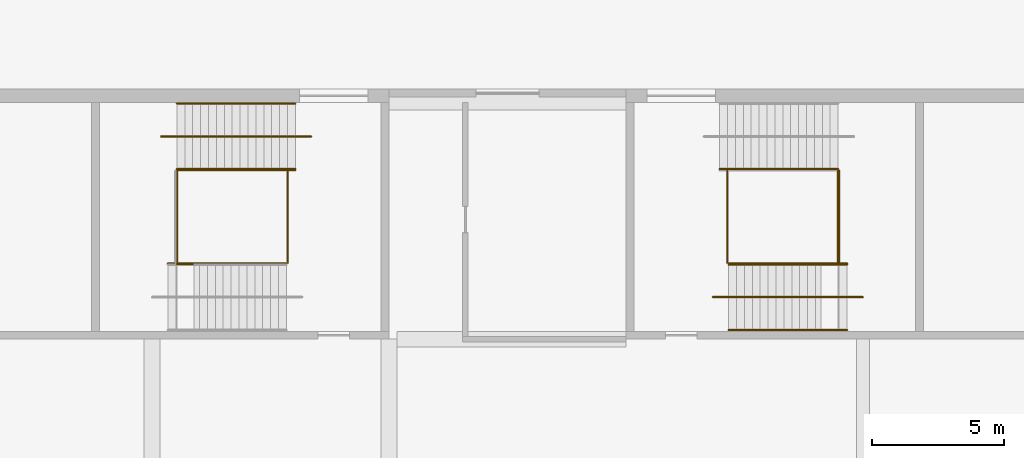
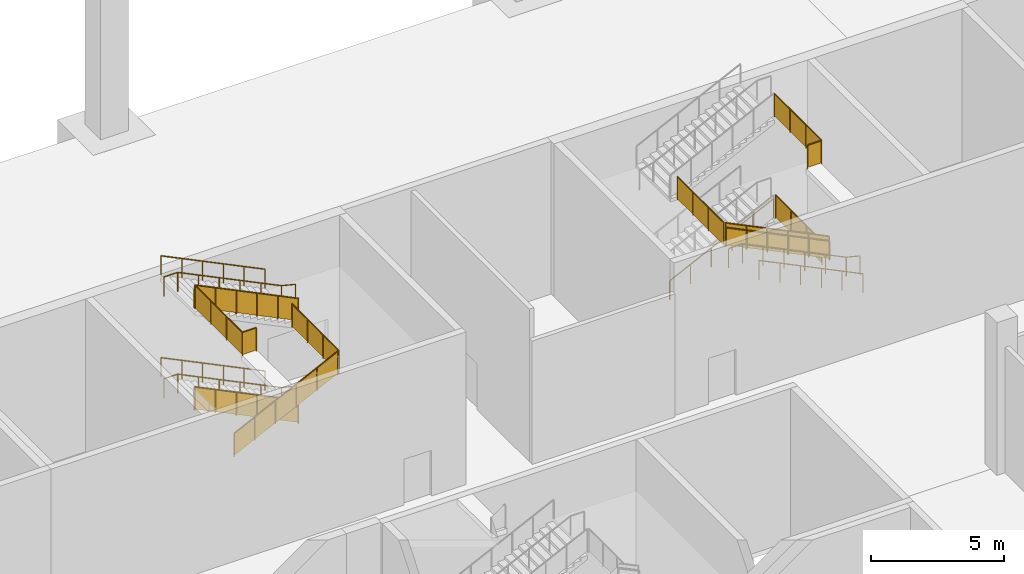
# One storey, part 89 of 92: 19 railings.
"""IFC4 building model written with IfcOpenShell, lengths in metres."""

from ifc_helpers import new_model, si_unit, direction, frame, origin, origin_2d, place, context, subcontext, project, spatial, polyline, circle, outline, extrude, material, type_object, element, save


model = new_model("IFC4")

# Units and contexts
model_context = context("Model", 3, precision=1e-05, world=origin(), true_north=direction((0.0, 1.0)))
body_context = subcontext(model_context, "Body", "Model", "MODEL_VIEW")
ifc_project = project(units=[si_unit("LENGTHUNIT", "METRE"), si_unit("AREAUNIT", "SQUARE_METRE"), si_unit("VOLUMEUNIT", "CUBIC_METRE"), si_unit("PLANEANGLEUNIT", "RADIAN"), si_unit("MASSUNIT", "GRAM", prefix="KILO")], contexts=[model_context])

# Site, building, storey
site_placement = place(None, origin())
site = spatial("IfcSite", under=ifc_project, at=site_placement, CompositionType="ELEMENT")
building_placement = place(site_placement, origin())
building = spatial("IfcBuilding", under=site, at=building_placement, Name="Silverbay Arena", CompositionType="ELEMENT")
storey_placement = place(building_placement, origin())
storey = spatial("IfcBuildingStorey", under=building, at=storey_placement, Name="L00", CompositionType="ELEMENT", Elevation=0.0)

# Railings
ifc_material_1 = material(Name="Stainless steel", Category="steel")
railing_type_1 = type_object("IfcRailingType", Name="Stair guard 1100", PredefinedType="GUARDRAIL", material=ifc_material_1)
railing_1_placement = place(storey_placement, frame((176.443115234375, 141.425048828125, 0.145751953125)))
element("IfcRailing", 1, at=railing_1_placement, inside=storey, type_object=railing_type_1, Name="Stair ST-N4 L00 to L01 flight 1 guard left", PredefinedType="GUARDRAIL", context=body_context, shape_type="SweptSolid", body=[
    extrude(circle(Radius=0.02392578125, at=origin_2d()), frame((0.0, 0.0, 1.076171875), z_axis=(-0.899367854138, 0.0, 0.437192706873), x_axis=(0.0, -1.0, 0.0)), (0.0, 0.0, 1.0), 5.00341796875),
    extrude(outline(polyline([(-0.008056640625, 0.046142578125), (0.907958984375, 0.491455078125), (0.907958984375, 1.494384765625), (-0.008056640625, 1.049072265625), (-0.008056640625, 0.046142578125)])), frame((0.0, -0.0029296875, 0.0), z_axis=(0.0, 1.0, 0.0), x_axis=(-1.0, 0.0, 0.0)), (0.0, 0.0, 1.0), 0.006103515625),
    extrude(outline(polyline([(-0.008056640625, 0.483642578125), (0.907958984375, 0.928955078125), (0.907958984375, 1.931884765625), (-0.008056640625, 1.486572265625), (-0.008056640625, 0.483642578125)])), frame((-0.89990234375, -0.0029296875, 0.0), z_axis=(0.0, 1.0, 0.0), x_axis=(-1.0, 0.0, 0.0)), (0.0, 0.0, 1.0), 0.006103515625),
    extrude(outline(polyline([(-0.008056640625, 0.921142578125), (0.907958984375, 1.366455078125), (0.907958984375, 2.369384765625), (-0.008056640625, 1.924072265625), (-0.008056640625, 0.921142578125)])), frame((-1.800048828125, -0.0029296875, 0.0), z_axis=(0.0, 1.0, 0.0), x_axis=(-1.0, 0.0, 0.0)), (0.0, 0.0, 1.0), 0.006103515625),
    extrude(outline(polyline([(-0.008056640625, 1.358642578125), (0.907958984375, 1.803955078125), (0.907958984375, 2.806884765625), (-0.008056640625, 2.361572265625), (-0.008056640625, 1.358642578125)])), frame((-2.699951171875, -0.0029296875, 0.0), z_axis=(0.0, 1.0, 0.0), x_axis=(-1.0, 0.0, 0.0)), (0.0, 0.0, 1.0), 0.006103515625),
    extrude(outline(polyline([(-0.008056640625, 1.796142578125), (0.907958984375, 2.241455078125), (0.907958984375, 3.244384765625), (-0.008056640625, 2.799072265625), (-0.008056640625, 1.796142578125)])), frame((-3.60009765625, -0.0029296875, 0.0), z_axis=(0.0, 1.0, 0.0), x_axis=(-1.0, 0.0, 0.0)), (0.0, 0.0, 1.0), 0.006103515625),
    extrude(circle(Radius=0.02099609375, at=origin_2d()), origin(), (0.0, 0.0, 1.0), 1.052001953125),
    extrude(circle(Radius=0.02099609375, at=origin_2d()), frame((-0.89990234375, 0.0, 0.4375)), (0.0, 0.0, 1.0), 1.052001953125),
    extrude(circle(Radius=0.02099609375, at=origin_2d()), frame((-1.800048828125, 0.0, 0.875)), (0.0, 0.0, 1.0), 1.052001953125),
    extrude(circle(Radius=0.02099609375, at=origin_2d()), frame((-2.699951171875, 0.0, 1.3125)), (0.0, 0.0, 1.0), 1.052001953125),
    extrude(circle(Radius=0.02099609375, at=origin_2d()), frame((-3.60009765625, 0.0, 1.75)), (0.0, 0.0, 1.0), 1.052001953125),
    extrude(circle(Radius=0.02099609375, at=origin_2d()), frame((-4.5, 0.0, 2.1875)), (0.0, 0.0, 1.0), 1.052001953125),
])
railing_2_placement = place(storey_placement, frame((171.60009765625, 137.875, 2.479248046875)))
element("IfcRailing", 2, at=railing_2_placement, inside=storey, type_object=railing_type_1, Name="Stair ST-N4 L00 to L01 flight 2 guard right", PredefinedType="GUARDRAIL", context=body_context, shape_type="SweptSolid", body=[
    extrude(circle(Radius=0.02392578125, at=origin_2d()), frame((0.0, 0.0, 1.076171875), z_axis=(0.899367854138, 0.0, 0.437192706873), x_axis=(0.0, 1.0, 0.0)), (0.0, 0.0, 1.0), 5.00341796875),
    extrude(outline(polyline([(-0.008056640625, 0.046142578125), (0.907958984375, 0.491455078125), (0.907958984375, 1.494384765625), (-0.008056640625, 1.049072265625), (-0.008056640625, 0.046142578125)])), frame((0.0, 0.0029296875, 0.0), z_axis=(0.0, -1.0, 0.0), x_axis=(1.0, 0.0, 0.0)), (0.0, 0.0, 1.0), 0.006103515625),
    extrude(outline(polyline([(-0.008056640625, 0.483642578125), (0.907958984375, 0.928955078125), (0.907958984375, 1.931884765625), (-0.008056640625, 1.486572265625), (-0.008056640625, 0.483642578125)])), frame((0.89990234375, 0.0029296875, 0.0), z_axis=(0.0, -1.0, 0.0), x_axis=(1.0, 0.0, 0.0)), (0.0, 0.0, 1.0), 0.006103515625),
    extrude(outline(polyline([(-0.008056640625, 0.921142578125), (0.907958984375, 1.366455078125), (0.907958984375, 2.369384765625), (-0.008056640625, 1.924072265625), (-0.008056640625, 0.921142578125)])), frame((1.800048828125, 0.0029296875, 0.0), z_axis=(0.0, -1.0, 0.0), x_axis=(1.0, 0.0, 0.0)), (0.0, 0.0, 1.0), 0.006103515625),
    extrude(outline(polyline([(-0.008056640625, 1.358642578125), (0.907958984375, 1.803955078125), (0.907958984375, 2.806884765625), (-0.008056640625, 2.361572265625), (-0.008056640625, 1.358642578125)])), frame((2.699951171875, 0.0029296875, 0.0), z_axis=(0.0, -1.0, 0.0), x_axis=(1.0, 0.0, 0.0)), (0.0, 0.0, 1.0), 0.006103515625),
    extrude(outline(polyline([(-0.008056640625, 1.796142578125), (0.907958984375, 2.241455078125), (0.907958984375, 3.244384765625), (-0.008056640625, 2.799072265625), (-0.008056640625, 1.796142578125)])), frame((3.60009765625, 0.0029296875, 0.0), z_axis=(0.0, -1.0, 0.0), x_axis=(1.0, 0.0, 0.0)), (0.0, 0.0, 1.0), 0.006103515625),
    extrude(circle(Radius=0.02099609375, at=origin_2d()), origin(), (0.0, 0.0, 1.0), 1.052001953125),
    extrude(circle(Radius=0.02099609375, at=origin_2d()), frame((0.89990234375, 0.0, 0.4375)), (0.0, 0.0, 1.0), 1.052001953125),
    extrude(circle(Radius=0.02099609375, at=origin_2d()), frame((1.800048828125, 0.0, 0.875)), (0.0, 0.0, 1.0), 1.052001953125),
    extrude(circle(Radius=0.02099609375, at=origin_2d()), frame((2.699951171875, 0.0, 1.3125)), (0.0, 0.0, 1.0), 1.052001953125),
    extrude(circle(Radius=0.02099609375, at=origin_2d()), frame((3.60009765625, 0.0, 1.75)), (0.0, 0.0, 1.0), 1.052001953125),
    extrude(circle(Radius=0.02099609375, at=origin_2d()), frame((4.5, 0.0, 2.1875)), (0.0, 0.0, 1.0), 1.052001953125),
])
railing_3_placement = place(storey_placement, frame((176.443115234375, 141.425048828125, 4.8125)))
element("IfcRailing", 3, at=railing_3_placement, inside=storey, type_object=railing_type_1, Name="Stair ST-N4 L00 to L01 flight 3 guard left", PredefinedType="GUARDRAIL", context=body_context, shape_type="SweptSolid", body=[
    extrude(circle(Radius=0.02392578125, at=origin_2d()), frame((0.0, 0.0, 1.076171875), z_axis=(-0.899367854138, 0.0, 0.437192706873), x_axis=(0.0, -1.0, 0.0)), (0.0, 0.0, 1.0), 5.00341796875),
    extrude(outline(polyline([(-0.008056640625, 0.046142578125), (0.907958984375, 0.491455078125), (0.907958984375, 1.494384765625), (-0.008056640625, 1.049072265625), (-0.008056640625, 0.046142578125)])), frame((0.0, -0.0029296875, 0.0), z_axis=(0.0, 1.0, 0.0), x_axis=(-1.0, 0.0, 0.0)), (0.0, 0.0, 1.0), 0.006103515625),
    extrude(outline(polyline([(-0.008056640625, 0.483642578125), (0.907958984375, 0.928955078125), (0.907958984375, 1.931884765625), (-0.008056640625, 1.486572265625), (-0.008056640625, 0.483642578125)])), frame((-0.89990234375, -0.0029296875, 0.0), z_axis=(0.0, 1.0, 0.0), x_axis=(-1.0, 0.0, 0.0)), (0.0, 0.0, 1.0), 0.006103515625),
    extrude(outline(polyline([(-0.008056640625, 0.921142578125), (0.907958984375, 1.366455078125), (0.907958984375, 2.369384765625), (-0.008056640625, 1.924072265625), (-0.008056640625, 0.921142578125)])), frame((-1.800048828125, -0.0029296875, 0.0), z_axis=(0.0, 1.0, 0.0), x_axis=(-1.0, 0.0, 0.0)), (0.0, 0.0, 1.0), 0.006103515625),
    extrude(outline(polyline([(-0.008056640625, 1.358642578125), (0.907958984375, 1.803955078125), (0.907958984375, 2.806884765625), (-0.008056640625, 2.361572265625), (-0.008056640625, 1.358642578125)])), frame((-2.699951171875, -0.0029296875, 0.0), z_axis=(0.0, 1.0, 0.0), x_axis=(-1.0, 0.0, 0.0)), (0.0, 0.0, 1.0), 0.006103515625),
    extrude(outline(polyline([(-0.008056640625, 1.796142578125), (0.907958984375, 2.241455078125), (0.907958984375, 3.244384765625), (-0.008056640625, 2.799072265625), (-0.008056640625, 1.796142578125)])), frame((-3.60009765625, -0.0029296875, 0.0), z_axis=(0.0, 1.0, 0.0), x_axis=(-1.0, 0.0, 0.0)), (0.0, 0.0, 1.0), 0.006103515625),
    extrude(circle(Radius=0.02099609375, at=origin_2d()), origin(), (0.0, 0.0, 1.0), 1.052001953125),
    extrude(circle(Radius=0.02099609375, at=origin_2d()), frame((-0.89990234375, 0.0, 0.4375)), (0.0, 0.0, 1.0), 1.052001953125),
    extrude(circle(Radius=0.02099609375, at=origin_2d()), frame((-1.800048828125, 0.0, 0.875)), (0.0, 0.0, 1.0), 1.052001953125),
    extrude(circle(Radius=0.02099609375, at=origin_2d()), frame((-2.699951171875, 0.0, 1.3125)), (0.0, 0.0, 1.0), 1.052001953125),
    extrude(circle(Radius=0.02099609375, at=origin_2d()), frame((-3.60009765625, 0.0, 1.75)), (0.0, 0.0, 1.0), 1.052001953125),
    extrude(circle(Radius=0.02099609375, at=origin_2d()), frame((-4.5, 0.0, 2.1875)), (0.0, 0.0, 1.0), 1.052001953125),
])
railing_4_placement = place(storey_placement, frame((176.14990234375, 137.89990234375, 4.666748046875)))
element("IfcRailing", 4, at=railing_4_placement, inside=storey, type_object=railing_type_1, Name="Stair ST-N4 L00 to L01 landing 2 guard", PredefinedType="GUARDRAIL", context=body_context, shape_type="SweptSolid", body=[
    extrude(circle(Radius=0.02392578125, at=origin_2d()), frame((0.0, 0.0, 1.076171875), z_axis=(0.0, 1.0, 0.0), x_axis=(-1.0, 0.0, 0.0)), (0.0, 0.0, 1.0), 3.5),
    extrude(outline(polyline([(-0.008056640625, 0.050048828125), (1.174560546875, 0.050048828125), (1.174560546875, 1.052978515625), (-0.008056640625, 1.052978515625), (-0.008056640625, 0.050048828125)])), frame((-0.0029296875, 0.0, 0.0), z_axis=(1.0, 0.0, 0.0), x_axis=(0.0, 1.0, 0.0)), (0.0, 0.0, 1.0), 0.006103515625),
    extrude(outline(polyline([(-0.008056640625, 0.050048828125), (1.174560546875, 0.050048828125), (1.174560546875, 1.052978515625), (-0.008056640625, 1.052978515625), (-0.008056640625, 0.050048828125)])), frame((-0.0029296875, 1.166748046875, 0.0), z_axis=(1.0, 0.0, 0.0), x_axis=(0.0, 1.0, 0.0)), (0.0, 0.0, 1.0), 0.006103515625),
    extrude(outline(polyline([(-0.008056640625, 0.050048828125), (1.174560546875, 0.050048828125), (1.174560546875, 1.052978515625), (-0.008056640625, 1.052978515625), (-0.008056640625, 0.050048828125)])), frame((-0.0029296875, 2.333251953125, 0.0), z_axis=(1.0, 0.0, 0.0), x_axis=(0.0, 1.0, 0.0)), (0.0, 0.0, 1.0), 0.006103515625),
    extrude(circle(Radius=0.02099609375, at=origin_2d()), origin(), (0.0, 0.0, 1.0), 1.052001953125),
    extrude(circle(Radius=0.02099609375, at=origin_2d()), frame((0.0, 1.166748046875, 0.0)), (0.0, 0.0, 1.0), 1.052001953125),
    extrude(circle(Radius=0.02099609375, at=origin_2d()), frame((0.0, 2.333251953125, 0.0)), (0.0, 0.0, 1.0), 1.052001953125),
    extrude(circle(Radius=0.02099609375, at=origin_2d()), frame((0.0, 3.5, 0.0)), (0.0, 0.0, 1.0), 1.052001953125),
])
railing_5_placement = place(storey_placement, frame((172.550048828125, 137.85009765625, 7.0)))
element("IfcRailing", 5, at=railing_5_placement, inside=storey, type_object=railing_type_1, Name="Stair ST-N4 L00 to L01 landing 3 guard", PredefinedType="GUARDRAIL", context=body_context, shape_type="SweptSolid", body=[
    extrude(circle(Radius=0.02392578125, at=origin_2d()), frame((0.0, 0.0, 1.076171875), z_axis=(-1.0, 0.0, 0.0), x_axis=(0.0, -1.0, 0.0)), (0.0, 0.0, 1.0), 0.60693359375),
    extrude(outline(polyline([(-0.008056640625, 0.050048828125), (0.614990234375, 0.050048828125), (0.614990234375, 1.052978515625), (-0.008056640625, 1.052978515625), (-0.008056640625, 0.050048828125)])), frame((0.0, -0.0029296875, 0.0), z_axis=(0.0, 1.0, 0.0), x_axis=(-1.0, 0.0, 0.0)), (0.0, 0.0, 1.0), 0.006103515625),
    extrude(circle(Radius=0.02392578125, at=origin_2d()), frame((-0.60693359375, 0.0, 1.076171875), z_axis=(0.0, 1.0, 0.0), x_axis=(-1.0, 0.0, 0.0)), (0.0, 0.0, 1.0), 3.5498046875),
    extrude(outline(polyline([(-0.008056640625, 0.050048828125), (1.191162109375, 0.050048828125), (1.191162109375, 1.052978515625), (-0.008056640625, 1.052978515625), (-0.008056640625, 0.050048828125)])), frame((-0.60986328125, 0.0, 0.0), z_axis=(1.0, 0.0, 0.0), x_axis=(0.0, 1.0, 0.0)), (0.0, 0.0, 1.0), 0.006103515625),
    extrude(outline(polyline([(-0.008056640625, 0.050048828125), (1.191162109375, 0.050048828125), (1.191162109375, 1.052978515625), (-0.008056640625, 1.052978515625), (-0.008056640625, 0.050048828125)])), frame((-0.60986328125, 1.183349609375, 0.0), z_axis=(1.0, 0.0, 0.0), x_axis=(0.0, 1.0, 0.0)), (0.0, 0.0, 1.0), 0.006103515625),
    extrude(outline(polyline([(-0.008056640625, 0.050048828125), (1.191162109375, 0.050048828125), (1.191162109375, 1.052978515625), (-0.008056640625, 1.052978515625), (-0.008056640625, 0.050048828125)])), frame((-0.60986328125, 2.366455078125, 0.0), z_axis=(1.0, 0.0, 0.0), x_axis=(0.0, 1.0, 0.0)), (0.0, 0.0, 1.0), 0.006103515625),
    extrude(circle(Radius=0.02099609375, at=origin_2d()), origin(), (0.0, 0.0, 1.0), 1.052001953125),
    extrude(circle(Radius=0.02099609375, at=origin_2d()), frame((-0.60693359375, 0.0, 0.0)), (0.0, 0.0, 1.0), 1.052001953125),
    extrude(circle(Radius=0.02099609375, at=origin_2d()), frame((-0.60693359375, 1.183349609375, 0.0)), (0.0, 0.0, 1.0), 1.052001953125),
    extrude(circle(Radius=0.02099609375, at=origin_2d()), frame((-0.60693359375, 2.366455078125, 0.0)), (0.0, 0.0, 1.0), 1.052001953125),
    extrude(circle(Radius=0.02099609375, at=origin_2d()), frame((-0.60693359375, 3.5498046875, 0.0)), (0.0, 0.0, 1.0), 1.052001953125),
])
railing_6_placement = place(storey_placement, frame((197.39990234375, 137.875, 2.479248046875)))
element("IfcRailing", 6, at=railing_6_placement, inside=storey, type_object=railing_type_1, Name="Stair ST-N6 L00 to L01 flight 2 guard right", PredefinedType="GUARDRAIL", context=body_context, shape_type="SweptSolid", body=[
    extrude(circle(Radius=0.02392578125, at=origin_2d()), frame((0.0, 0.0, 1.076171875), z_axis=(-0.899367854138, 0.0, 0.437192706873), x_axis=(0.0, -1.0, 0.0)), (0.0, 0.0, 1.0), 5.00341796875),
    extrude(outline(polyline([(-0.008056640625, 0.046142578125), (0.907958984375, 0.491455078125), (0.907958984375, 1.494384765625), (-0.008056640625, 1.049072265625), (-0.008056640625, 0.046142578125)])), frame((0.0, -0.0029296875, 0.0), z_axis=(0.0, 1.0, 0.0), x_axis=(-1.0, 0.0, 0.0)), (0.0, 0.0, 1.0), 0.006103515625),
    extrude(outline(polyline([(-0.008056640625, 0.483642578125), (0.907958984375, 0.928955078125), (0.907958984375, 1.931884765625), (-0.008056640625, 1.486572265625), (-0.008056640625, 0.483642578125)])), frame((-0.89990234375, -0.0029296875, 0.0), z_axis=(0.0, 1.0, 0.0), x_axis=(-1.0, 0.0, 0.0)), (0.0, 0.0, 1.0), 0.006103515625),
    extrude(outline(polyline([(-0.008056640625, 0.921142578125), (0.907958984375, 1.366455078125), (0.907958984375, 2.369384765625), (-0.008056640625, 1.924072265625), (-0.008056640625, 0.921142578125)])), frame((-1.800048828125, -0.0029296875, 0.0), z_axis=(0.0, 1.0, 0.0), x_axis=(-1.0, 0.0, 0.0)), (0.0, 0.0, 1.0), 0.006103515625),
    extrude(outline(polyline([(-0.008056640625, 1.358642578125), (0.907958984375, 1.803955078125), (0.907958984375, 2.806884765625), (-0.008056640625, 2.361572265625), (-0.008056640625, 1.358642578125)])), frame((-2.699951171875, -0.0029296875, 0.0), z_axis=(0.0, 1.0, 0.0), x_axis=(-1.0, 0.0, 0.0)), (0.0, 0.0, 1.0), 0.006103515625),
    extrude(outline(polyline([(-0.008056640625, 1.796142578125), (0.907958984375, 2.241455078125), (0.907958984375, 3.244384765625), (-0.008056640625, 2.799072265625), (-0.008056640625, 1.796142578125)])), frame((-3.60009765625, -0.0029296875, 0.0), z_axis=(0.0, 1.0, 0.0), x_axis=(-1.0, 0.0, 0.0)), (0.0, 0.0, 1.0), 0.006103515625),
    extrude(circle(Radius=0.02099609375, at=origin_2d()), origin(), (0.0, 0.0, 1.0), 1.052001953125),
    extrude(circle(Radius=0.02099609375, at=origin_2d()), frame((-0.89990234375, 0.0, 0.4375)), (0.0, 0.0, 1.0), 1.052001953125),
    extrude(circle(Radius=0.02099609375, at=origin_2d()), frame((-1.800048828125, 0.0, 0.875)), (0.0, 0.0, 1.0), 1.052001953125),
    extrude(circle(Radius=0.02099609375, at=origin_2d()), frame((-2.699951171875, 0.0, 1.3125)), (0.0, 0.0, 1.0), 1.052001953125),
    extrude(circle(Radius=0.02099609375, at=origin_2d()), frame((-3.60009765625, 0.0, 1.75)), (0.0, 0.0, 1.0), 1.052001953125),
    extrude(circle(Radius=0.02099609375, at=origin_2d()), frame((-4.5, 0.0, 2.1875)), (0.0, 0.0, 1.0), 1.052001953125),
])
for number, where, name in (
    (7, (197.10693359375, 137.89990234375, 2.333251953125), "Stair ST-N6 L00 to L01 landing 1 guard"),
    (8, (192.85009765625, 137.89990234375, 4.666748046875), "Stair ST-N6 L00 to L01 landing 2 guard"),
):
    element("IfcRailing", number, at=place(storey_placement, frame(where)), inside=storey, type_object=railing_type_1, Name=name, PredefinedType="GUARDRAIL", context=body_context, shape_type="SweptSolid", body=[
        extrude(circle(Radius=0.02392578125, at=origin_2d()), frame((0.0, 0.0, 1.076171875), z_axis=(0.0, 1.0, 0.0), x_axis=(-1.0, 0.0, 0.0)), (0.0, 0.0, 1.0), 3.5),
        extrude(outline(polyline([(-0.008056640625, 0.050048828125), (1.174560546875, 0.050048828125), (1.174560546875, 1.052978515625), (-0.008056640625, 1.052978515625), (-0.008056640625, 0.050048828125)])), frame((-0.0029296875, 0.0, 0.0), z_axis=(1.0, 0.0, 0.0), x_axis=(0.0, 1.0, 0.0)), (0.0, 0.0, 1.0), 0.006103515625),
        extrude(outline(polyline([(-0.008056640625, 0.050048828125), (1.174560546875, 0.050048828125), (1.174560546875, 1.052978515625), (-0.008056640625, 1.052978515625), (-0.008056640625, 0.050048828125)])), frame((-0.0029296875, 1.166748046875, 0.0), z_axis=(1.0, 0.0, 0.0), x_axis=(0.0, 1.0, 0.0)), (0.0, 0.0, 1.0), 0.006103515625),
        extrude(outline(polyline([(-0.008056640625, 0.050048828125), (1.174560546875, 0.050048828125), (1.174560546875, 1.052978515625), (-0.008056640625, 1.052978515625), (-0.008056640625, 0.050048828125)])), frame((-0.0029296875, 2.333251953125, 0.0), z_axis=(1.0, 0.0, 0.0), x_axis=(0.0, 1.0, 0.0)), (0.0, 0.0, 1.0), 0.006103515625),
        extrude(circle(Radius=0.02099609375, at=origin_2d()), origin(), (0.0, 0.0, 1.0), 1.052001953125),
        extrude(circle(Radius=0.02099609375, at=origin_2d()), frame((0.0, 1.166748046875, 0.0)), (0.0, 0.0, 1.0), 1.052001953125),
        extrude(circle(Radius=0.02099609375, at=origin_2d()), frame((0.0, 2.333251953125, 0.0)), (0.0, 0.0, 1.0), 1.052001953125),
        extrude(circle(Radius=0.02099609375, at=origin_2d()), frame((0.0, 3.5, 0.0)), (0.0, 0.0, 1.0), 1.052001953125),
    ])
railing_7_placement = place(storey_placement, frame((196.449951171875, 137.85009765625, 7.0)))
element("IfcRailing", 9, at=railing_7_placement, inside=storey, type_object=railing_type_1, Name="Stair ST-N6 L00 to L01 landing 3 guard", PredefinedType="GUARDRAIL", context=body_context, shape_type="SweptSolid", body=[
    extrude(circle(Radius=0.02392578125, at=origin_2d()), frame((0.0, 0.0, 1.076171875), z_axis=(1.0, 0.0, 0.0), x_axis=(0.0, 1.0, 0.0)), (0.0, 0.0, 1.0), 0.60693359375),
    extrude(outline(polyline([(-0.008056640625, 0.050048828125), (0.614990234375, 0.050048828125), (0.614990234375, 1.052978515625), (-0.008056640625, 1.052978515625), (-0.008056640625, 0.050048828125)])), frame((0.0, 0.0029296875, 0.0), z_axis=(0.0, -1.0, 0.0), x_axis=(1.0, 0.0, 0.0)), (0.0, 0.0, 1.0), 0.006103515625),
    extrude(circle(Radius=0.02392578125, at=origin_2d()), frame((0.60693359375, 0.0, 1.076171875), z_axis=(0.0, 1.0, 0.0), x_axis=(-1.0, 0.0, 0.0)), (0.0, 0.0, 1.0), 3.5498046875),
    extrude(outline(polyline([(-0.008056640625, 0.050048828125), (1.191162109375, 0.050048828125), (1.191162109375, 1.052978515625), (-0.008056640625, 1.052978515625), (-0.008056640625, 0.050048828125)])), frame((0.60400390625, 0.0, 0.0), z_axis=(1.0, 0.0, 0.0), x_axis=(0.0, 1.0, 0.0)), (0.0, 0.0, 1.0), 0.006103515625),
    extrude(outline(polyline([(-0.008056640625, 0.050048828125), (1.191162109375, 0.050048828125), (1.191162109375, 1.052978515625), (-0.008056640625, 1.052978515625), (-0.008056640625, 0.050048828125)])), frame((0.60400390625, 1.183349609375, 0.0), z_axis=(1.0, 0.0, 0.0), x_axis=(0.0, 1.0, 0.0)), (0.0, 0.0, 1.0), 0.006103515625),
    extrude(outline(polyline([(-0.008056640625, 0.050048828125), (1.191162109375, 0.050048828125), (1.191162109375, 1.052978515625), (-0.008056640625, 1.052978515625), (-0.008056640625, 0.050048828125)])), frame((0.60400390625, 2.366455078125, 0.0), z_axis=(1.0, 0.0, 0.0), x_axis=(0.0, 1.0, 0.0)), (0.0, 0.0, 1.0), 0.006103515625),
    extrude(circle(Radius=0.02099609375, at=origin_2d()), origin(), (0.0, 0.0, 1.0), 1.052001953125),
    extrude(circle(Radius=0.02099609375, at=origin_2d()), frame((0.60693359375, 0.0, 0.0)), (0.0, 0.0, 1.0), 1.052001953125),
    extrude(circle(Radius=0.02099609375, at=origin_2d()), frame((0.60693359375, 1.183349609375, 0.0)), (0.0, 0.0, 1.0), 1.052001953125),
    extrude(circle(Radius=0.02099609375, at=origin_2d()), frame((0.60693359375, 2.366455078125, 0.0)), (0.0, 0.0, 1.0), 1.052001953125),
    extrude(circle(Radius=0.02099609375, at=origin_2d()), frame((0.60693359375, 3.5498046875, 0.0)), (0.0, 0.0, 1.0), 1.052001953125),
])
ifc_material_2 = material(Name="Stainless steel", Category="steel")
railing_type_2 = type_object("IfcRailingType", Name="Stair handrail 900", PredefinedType="HANDRAIL", material=ifc_material_2)
for number, where, name in (
    (10, (176.443115234375, 141.464111328125, 0.145751953125), "Stair ST-N4 L00 to L01 flight 1 handrail left"),
    (11, (176.443115234375, 143.949951171875, 0.145751953125), "Stair ST-N4 L00 to L01 flight 1 handrail right"),
):
    element("IfcRailing", number, at=place(storey_placement, frame(where)), inside=storey, type_object=railing_type_2, Name=name, PredefinedType="HANDRAIL", context=body_context, shape_type="SweptSolid", body=[
        extrude(circle(Radius=0.02392578125, at=origin_2d()), frame((0.0, 0.0, 0.8759765625), z_axis=(-0.899367854138, 0.0, 0.437192706873), x_axis=(0.0, -1.0, 0.0)), (0.0, 0.0, 1.0), 5.00341796875),
        extrude(circle(Radius=0.02099609375, at=origin_2d()), origin(), (0.0, 0.0, 1.0), 0.851806640625),
        extrude(circle(Radius=0.02099609375, at=origin_2d()), frame((-0.89990234375, 0.0, 0.4375)), (0.0, 0.0, 1.0), 0.851806640625),
        extrude(circle(Radius=0.02099609375, at=origin_2d()), frame((-1.800048828125, 0.0, 0.875)), (0.0, 0.0, 1.0), 0.851806640625),
        extrude(circle(Radius=0.02099609375, at=origin_2d()), frame((-2.699951171875, 0.0, 1.3125)), (0.0, 0.0, 1.0), 0.851806640625),
        extrude(circle(Radius=0.02099609375, at=origin_2d()), frame((-3.60009765625, 0.0, 1.75)), (0.0, 0.0, 1.0), 0.851806640625),
        extrude(circle(Radius=0.02099609375, at=origin_2d()), frame((-4.5, 0.0, 2.1875)), (0.0, 0.0, 1.0), 0.851806640625),
    ])
railing_8_placement = place(storey_placement, frame((177.043212890625, 142.699951171875, 0.0)))
element("IfcRailing", 12, at=railing_8_placement, inside=storey, type_object=railing_type_2, Name="Stair ST-N4 L00 to L01 flight 1 central handrail", PredefinedType="HANDRAIL", context=body_context, shape_type="SweptSolid", body=[
    extrude(circle(Radius=0.02392578125, at=origin_2d()), frame((0.0, 0.0, 0.8759765625), z_axis=(-0.971748522905, 0.0, 0.236018660771), x_axis=(0.0, -1.0, 0.0)), (0.0, 0.0, 1.0), 0.617431640625),
    extrude(circle(Radius=0.02392578125, at=origin_2d()), frame((-0.60009765625, 0.0, 1.021484375), z_axis=(-0.899367854138, 0.0, 0.437192706873), x_axis=(0.0, -1.0, 0.0)), (0.0, 0.0, 1.0), 5.00341796875),
    extrude(circle(Radius=0.02392578125, at=origin_2d()), frame((-5.10009765625, 0.0, 3.208984375), z_axis=(-1.0, 0.0, 0.0), x_axis=(0.0, -1.0, 0.0)), (0.0, 0.0, 1.0), 0.60009765625),
    extrude(circle(Radius=0.02099609375, at=origin_2d()), origin(), (0.0, 0.0, 1.0), 0.851806640625),
    extrude(circle(Radius=0.02099609375, at=origin_2d()), frame((-0.60009765625, 0.0, 0.145751953125)), (0.0, 0.0, 1.0), 0.851806640625),
    extrude(circle(Radius=0.02099609375, at=origin_2d()), frame((-1.5, 0.0, 0.583251953125)), (0.0, 0.0, 1.0), 0.851806640625),
    extrude(circle(Radius=0.02099609375, at=origin_2d()), frame((-2.400146484375, 0.0, 1.020751953125)), (0.0, 0.0, 1.0), 0.851806640625),
    extrude(circle(Radius=0.02099609375, at=origin_2d()), frame((-3.300048828125, 0.0, 1.458251953125)), (0.0, 0.0, 1.0), 0.851806640625),
    extrude(circle(Radius=0.02099609375, at=origin_2d()), frame((-4.2001953125, 0.0, 1.895751953125)), (0.0, 0.0, 1.0), 0.851806640625),
    extrude(circle(Radius=0.02099609375, at=origin_2d()), frame((-5.10009765625, 0.0, 2.333251953125)), (0.0, 0.0, 1.0), 0.851806640625),
    extrude(circle(Radius=0.02099609375, at=origin_2d()), frame((-5.7001953125, 0.0, 2.333251953125)), (0.0, 0.0, 1.0), 0.851806640625),
])
for number, where, name in (
    (13, (176.443115234375, 141.464111328125, 4.8125), "Stair ST-N4 L00 to L01 flight 3 handrail left"),
    (14, (176.443115234375, 143.949951171875, 4.8125), "Stair ST-N4 L00 to L01 flight 3 handrail right"),
):
    element("IfcRailing", number, at=place(storey_placement, frame(where)), inside=storey, type_object=railing_type_2, Name=name, PredefinedType="HANDRAIL", context=body_context, shape_type="SweptSolid", body=[
        extrude(circle(Radius=0.02392578125, at=origin_2d()), frame((0.0, 0.0, 0.8759765625), z_axis=(-0.899367854138, 0.0, 0.437192706873), x_axis=(0.0, -1.0, 0.0)), (0.0, 0.0, 1.0), 5.00341796875),
        extrude(circle(Radius=0.02099609375, at=origin_2d()), origin(), (0.0, 0.0, 1.0), 0.851806640625),
        extrude(circle(Radius=0.02099609375, at=origin_2d()), frame((-0.89990234375, 0.0, 0.4375)), (0.0, 0.0, 1.0), 0.851806640625),
        extrude(circle(Radius=0.02099609375, at=origin_2d()), frame((-1.800048828125, 0.0, 0.875)), (0.0, 0.0, 1.0), 0.851806640625),
        extrude(circle(Radius=0.02099609375, at=origin_2d()), frame((-2.699951171875, 0.0, 1.3125)), (0.0, 0.0, 1.0), 0.851806640625),
        extrude(circle(Radius=0.02099609375, at=origin_2d()), frame((-3.60009765625, 0.0, 1.75)), (0.0, 0.0, 1.0), 0.851806640625),
        extrude(circle(Radius=0.02099609375, at=origin_2d()), frame((-4.5, 0.0, 2.1875)), (0.0, 0.0, 1.0), 0.851806640625),
    ])
railing_9_placement = place(storey_placement, frame((177.043212890625, 142.699951171875, 4.666748046875)))
element("IfcRailing", 15, at=railing_9_placement, inside=storey, type_object=railing_type_2, Name="Stair ST-N4 L00 to L01 flight 3 central handrail", PredefinedType="HANDRAIL", context=body_context, shape_type="SweptSolid", body=[
    extrude(circle(Radius=0.02392578125, at=origin_2d()), frame((0.0, 0.0, 0.8759765625), z_axis=(-0.971748522905, 0.0, 0.236018660771), x_axis=(0.0, -1.0, 0.0)), (0.0, 0.0, 1.0), 0.617431640625),
    extrude(circle(Radius=0.02392578125, at=origin_2d()), frame((-0.60009765625, 0.0, 1.021484375), z_axis=(-0.899367854138, 0.0, 0.437192706873), x_axis=(0.0, -1.0, 0.0)), (0.0, 0.0, 1.0), 5.00341796875),
    extrude(circle(Radius=0.02392578125, at=origin_2d()), frame((-5.10009765625, 0.0, 3.208984375), z_axis=(-1.0, 0.0, 0.0), x_axis=(0.0, -1.0, 0.0)), (0.0, 0.0, 1.0), 0.60009765625),
    extrude(circle(Radius=0.02099609375, at=origin_2d()), origin(), (0.0, 0.0, 1.0), 0.851806640625),
    extrude(circle(Radius=0.02099609375, at=origin_2d()), frame((-0.60009765625, 0.0, 0.145751953125)), (0.0, 0.0, 1.0), 0.851806640625),
    extrude(circle(Radius=0.02099609375, at=origin_2d()), frame((-1.5, 0.0, 0.583251953125)), (0.0, 0.0, 1.0), 0.851806640625),
    extrude(circle(Radius=0.02099609375, at=origin_2d()), frame((-2.400146484375, 0.0, 1.020751953125)), (0.0, 0.0, 1.0), 0.851806640625),
    extrude(circle(Radius=0.02099609375, at=origin_2d()), frame((-3.300048828125, 0.0, 1.458251953125)), (0.0, 0.0, 1.0), 0.851806640625),
    extrude(circle(Radius=0.02099609375, at=origin_2d()), frame((-4.2001953125, 0.0, 1.895751953125)), (0.0, 0.0, 1.0), 0.851806640625),
    extrude(circle(Radius=0.02099609375, at=origin_2d()), frame((-5.10009765625, 0.0, 2.333251953125)), (0.0, 0.0, 1.0), 0.851806640625),
    extrude(circle(Radius=0.02099609375, at=origin_2d()), frame((-5.7001953125, 0.0, 2.333251953125)), (0.0, 0.0, 1.0), 0.851806640625),
])
railing_10_placement = place(storey_placement, frame((192.556884765625, 141.464111328125, 0.145751953125)))
element("IfcRailing", 16, at=railing_10_placement, inside=storey, type_object=railing_type_2, Name="Stair ST-N6 L00 to L01 flight 1 handrail left", PredefinedType="HANDRAIL", context=body_context, shape_type="SweptSolid", body=[
    extrude(circle(Radius=0.02392578125, at=origin_2d()), frame((0.0, 0.0, 0.8759765625), z_axis=(0.899367854138, 0.0, 0.437192706873), x_axis=(0.0, 1.0, 0.0)), (0.0, 0.0, 1.0), 5.00341796875),
    extrude(circle(Radius=0.02099609375, at=origin_2d()), origin(), (0.0, 0.0, 1.0), 0.851806640625),
    extrude(circle(Radius=0.02099609375, at=origin_2d()), frame((0.89990234375, 0.0, 0.4375)), (0.0, 0.0, 1.0), 0.851806640625),
    extrude(circle(Radius=0.02099609375, at=origin_2d()), frame((1.800048828125, 0.0, 0.875)), (0.0, 0.0, 1.0), 0.851806640625),
    extrude(circle(Radius=0.02099609375, at=origin_2d()), frame((2.699951171875, 0.0, 1.3125)), (0.0, 0.0, 1.0), 0.851806640625),
    extrude(circle(Radius=0.02099609375, at=origin_2d()), frame((3.60009765625, 0.0, 1.75)), (0.0, 0.0, 1.0), 0.851806640625),
    extrude(circle(Radius=0.02099609375, at=origin_2d()), frame((4.5, 0.0, 2.1875)), (0.0, 0.0, 1.0), 0.851806640625),
])
for number, where, name in (
    (17, (197.39990234375, 135.35009765625, 2.479248046875), "Stair ST-N6 L00 to L01 flight 2 handrail left"),
    (18, (197.39990234375, 137.8359375, 2.479248046875), "Stair ST-N6 L00 to L01 flight 2 handrail right"),
):
    element("IfcRailing", number, at=place(storey_placement, frame(where)), inside=storey, type_object=railing_type_2, Name=name, PredefinedType="HANDRAIL", context=body_context, shape_type="SweptSolid", body=[
        extrude(circle(Radius=0.02392578125, at=origin_2d()), frame((0.0, 0.0, 0.8759765625), z_axis=(-0.899367854138, 0.0, 0.437192706873), x_axis=(0.0, -1.0, 0.0)), (0.0, 0.0, 1.0), 5.00341796875),
        extrude(circle(Radius=0.02099609375, at=origin_2d()), origin(), (0.0, 0.0, 1.0), 0.851806640625),
        extrude(circle(Radius=0.02099609375, at=origin_2d()), frame((-0.89990234375, 0.0, 0.4375)), (0.0, 0.0, 1.0), 0.851806640625),
        extrude(circle(Radius=0.02099609375, at=origin_2d()), frame((-1.800048828125, 0.0, 0.875)), (0.0, 0.0, 1.0), 0.851806640625),
        extrude(circle(Radius=0.02099609375, at=origin_2d()), frame((-2.699951171875, 0.0, 1.3125)), (0.0, 0.0, 1.0), 0.851806640625),
        extrude(circle(Radius=0.02099609375, at=origin_2d()), frame((-3.60009765625, 0.0, 1.75)), (0.0, 0.0, 1.0), 0.851806640625),
        extrude(circle(Radius=0.02099609375, at=origin_2d()), frame((-4.5, 0.0, 2.1875)), (0.0, 0.0, 1.0), 0.851806640625),
    ])
railing_11_placement = place(storey_placement, frame((198.0, 136.60009765625, 2.333251953125)))
element("IfcRailing", 19, at=railing_11_placement, inside=storey, type_object=railing_type_2, Name="Stair ST-N6 L00 to L01 flight 2 central handrail", PredefinedType="HANDRAIL", context=body_context, shape_type="SweptSolid", body=[
    extrude(circle(Radius=0.02392578125, at=origin_2d()), frame((0.0, 0.0, 0.8759765625), z_axis=(-0.971657787874, 0.0, 0.236391927237), x_axis=(0.0, -1.0, 0.0)), (0.0, 0.0, 1.0), 0.61767578125),
    extrude(circle(Radius=0.02392578125, at=origin_2d()), frame((-0.60009765625, 0.0, 1.02197265625), z_axis=(-0.899367854138, 0.0, 0.437192706873), x_axis=(0.0, -1.0, 0.0)), (0.0, 0.0, 1.0), 5.00341796875),
    extrude(circle(Radius=0.02392578125, at=origin_2d()), frame((-5.10009765625, 0.0, 3.20947265625), z_axis=(-1.0, 0.0, 0.0), x_axis=(0.0, -1.0, 0.0)), (0.0, 0.0, 1.0), 0.599853515625),
    extrude(circle(Radius=0.02099609375, at=origin_2d()), origin(), (0.0, 0.0, 1.0), 0.851806640625),
    extrude(circle(Radius=0.02099609375, at=origin_2d()), frame((-0.60009765625, 0.0, 0.14599609375)), (0.0, 0.0, 1.0), 0.851806640625),
    extrude(circle(Radius=0.02099609375, at=origin_2d()), frame((-1.5, 0.0, 0.58349609375)), (0.0, 0.0, 1.0), 0.851806640625),
    extrude(circle(Radius=0.02099609375, at=origin_2d()), frame((-2.400146484375, 0.0, 1.02099609375)), (0.0, 0.0, 1.0), 0.851806640625),
    extrude(circle(Radius=0.02099609375, at=origin_2d()), frame((-3.300048828125, 0.0, 1.45849609375)), (0.0, 0.0, 1.0), 0.851806640625),
    extrude(circle(Radius=0.02099609375, at=origin_2d()), frame((-4.2001953125, 0.0, 1.89599609375)), (0.0, 0.0, 1.0), 0.851806640625),
    extrude(circle(Radius=0.02099609375, at=origin_2d()), frame((-5.10009765625, 0.0, 2.33349609375)), (0.0, 0.0, 1.0), 0.851806640625),
    extrude(circle(Radius=0.02099609375, at=origin_2d()), frame((-5.699951171875, 0.0, 2.33349609375)), (0.0, 0.0, 1.0), 0.851806640625),
])

save(model, "model.ifc")
